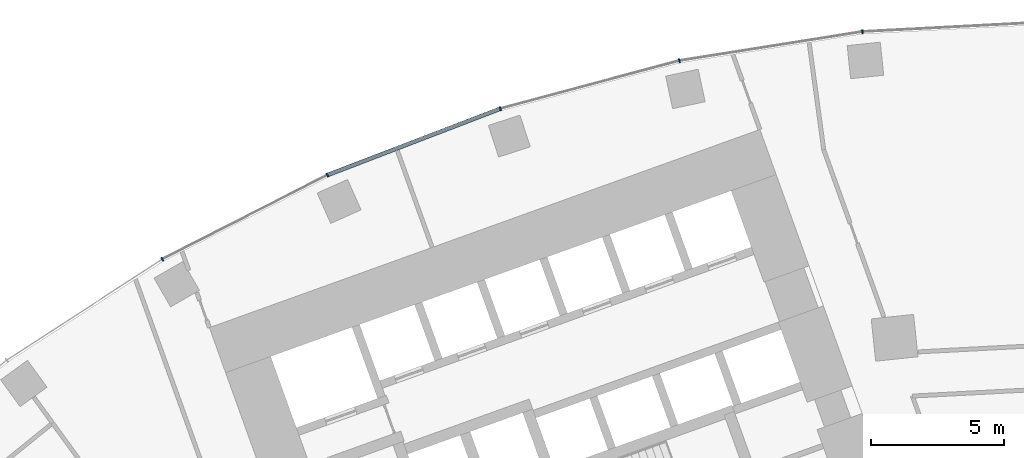
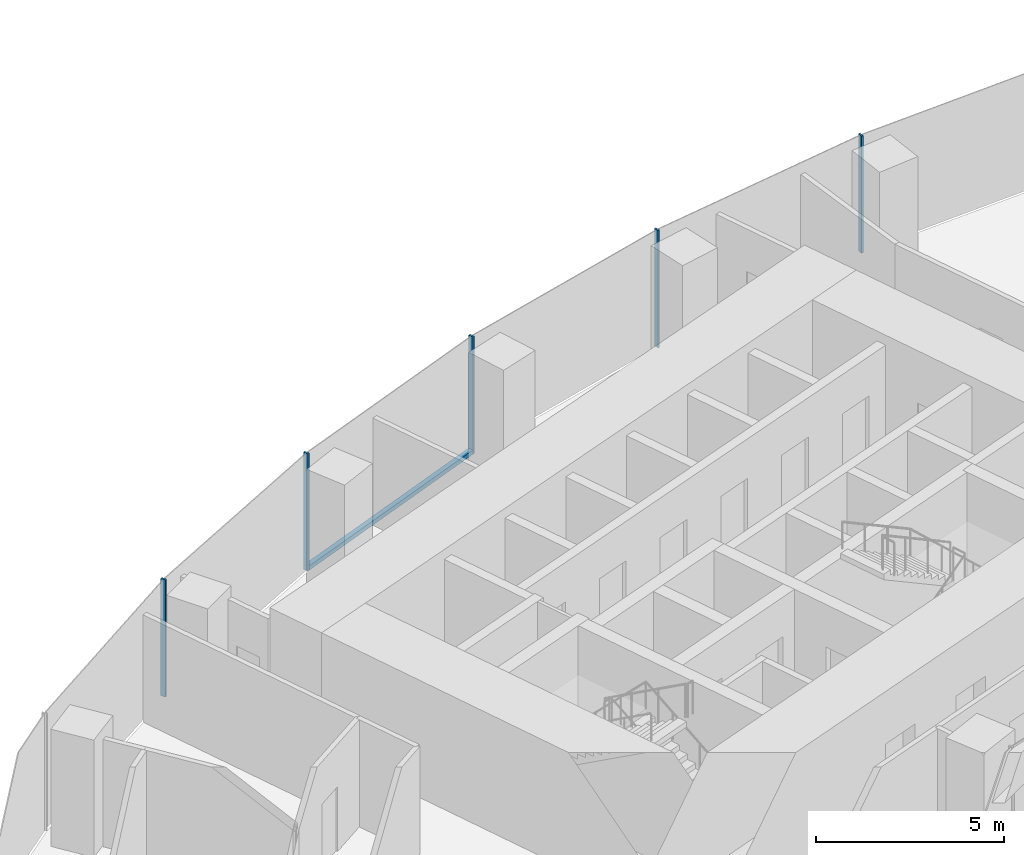
# One storey, part 6 of 21: 6 members, 1 element without a shape of its own.
"""IFC4 building model written with IfcOpenShell, lengths in metres."""

from ifc_helpers import new_model, si_unit, direction, frame, origin, origin_2d, place, context, subcontext, project, spatial, rectangle, extrude, material, layer, layer_set, material_profile, profile_set, type_object, element, aggregate, save


model = new_model("IFC4")

# Units and contexts
model_context = context("Model", 3, precision=1e-05, world=origin(), true_north=direction((0.0, 1.0)))
body_context = subcontext(model_context, "Body", "Model", "MODEL_VIEW")
ifc_project = project(units=[si_unit("LENGTHUNIT", "METRE"), si_unit("AREAUNIT", "SQUARE_METRE"), si_unit("VOLUMEUNIT", "CUBIC_METRE"), si_unit("PLANEANGLEUNIT", "RADIAN"), si_unit("MASSUNIT", "GRAM", prefix="KILO")], contexts=[model_context])

# Site, building, storey
site_placement = place(None, origin())
site = spatial("IfcSite", under=ifc_project, at=site_placement, CompositionType="ELEMENT")
building_placement = place(site_placement, origin())
building = spatial("IfcBuilding", under=site, at=building_placement, Name="Stone Belt Terrace Tower", CompositionType="ELEMENT")
storey_placement = place(building_placement, frame((0.0, 0.0, 45.199951171875)))
storey = spatial("IfcBuildingStorey", under=building, at=storey_placement, Name="L10", CompositionType="ELEMENT", Elevation=45.199951171875)

# Curtain wall, members
ifc_material = material(Name="Aluminium 6063-T6 anodised frame", Category="aluminium")
ifc_layer = layer(ifc_material, 0.14990234375)
ifc_layer_set = layer_set([ifc_layer], Name="CW-A unitised convex-face curtain wall")
curtain_wall_type = type_object("IfcCurtainWallType", Name="CW-A unitised convex-face curtain wall", PredefinedType="NOTDEFINED", material=ifc_layer_set)
curtain_wall_placement = place(storey_placement, origin())
curtain_wall = element("IfcCurtainWall", 1, at=curtain_wall_placement, inside=storey, type_object=curtain_wall_type, Name="CW-A convex face L10", PredefinedType="NOTDEFINED")
ifc_material_profile_1 = material_profile(ifc_material, rectangle(XDim=0.14990234375, YDim=0.06005859375, at=origin_2d()), Name="Aluminium 6063-T6 60x150")
ifc_profile_set_1 = profile_set([ifc_material_profile_1], Name="Aluminium 6063-T6 anodised frame")
member_type_1 = type_object("IfcMemberType", Name="CW-A mullion 60 x 150", PredefinedType="MULLION", material=ifc_profile_set_1)
member_1_placement = place(storey_placement, frame((-6.958984375, 66.21044921875, 0.0), z_axis=(0.0, 0.0, 1.0), x_axis=(0.104528463268, -0.994521895368, 0.0)))
member_1 = element("IfcMember", 2, at=member_1_placement, type_object=member_type_1, Name="CW-A mullion 11", PredefinedType="MULLION", context=body_context, shape_type="SweptSolid", body=[
    extrude(rectangle(XDim=0.14990234375, YDim=0.06005859375, at=origin_2d()), origin(), (0.0, 0.0, 1.0), 3.800048828125),
])
member_2_placement = place(storey_placement, frame((-13.841796875, 65.120361328125, 0.0), z_axis=(0.0, 0.0, 1.0), x_axis=(0.207911690818, -0.978147600734, 0.0)))
member_2 = element("IfcMember", 3, at=member_2_placement, type_object=member_type_1, Name="CW-A mullion 12", PredefinedType="MULLION", context=body_context, shape_type="SweptSolid", body=[
    extrude(rectangle(XDim=0.14990234375, YDim=0.06005859375, at=origin_2d()), origin(), (0.0, 0.0, 1.0), 3.800048828125),
])
member_3_placement = place(storey_placement, frame((-20.57275390625, 63.316650390625, 0.0), z_axis=(0.0, 0.0, 1.0), x_axis=(0.309016994375, -0.951056516295, 0.0)))
member_3 = element("IfcMember", 4, at=member_3_placement, type_object=member_type_1, Name="CW-A mullion 13", PredefinedType="MULLION", context=body_context, shape_type="SweptSolid", body=[
    extrude(rectangle(XDim=0.14990234375, YDim=0.06005859375, at=origin_2d()), origin(), (0.0, 0.0, 1.0), 3.800048828125),
])
member_4_placement = place(storey_placement, frame((-27.07861328125, 60.8193359375, 0.0), z_axis=(0.0, 0.0, 1.0), x_axis=(0.406736643076, -0.913545457643, 0.0)))
member_4 = element("IfcMember", 5, at=member_4_placement, type_object=member_type_1, Name="CW-A mullion 14", PredefinedType="MULLION", context=body_context, shape_type="SweptSolid", body=[
    extrude(rectangle(XDim=0.14990234375, YDim=0.06005859375, at=origin_2d()), origin(), (0.0, 0.0, 1.0), 3.800048828125),
])
member_5_placement = place(storey_placement, frame((-33.28759765625, 57.65576171875, 0.0), z_axis=(0.0, 0.0, 1.0), x_axis=(0.5, -0.866025403784, 0.0)))
member_5 = element("IfcMember", 6, at=member_5_placement, type_object=member_type_1, Name="CW-A mullion 15", PredefinedType="MULLION", context=body_context, shape_type="SweptSolid", body=[
    extrude(rectangle(XDim=0.14990234375, YDim=0.06005859375, at=origin_2d()), origin(), (0.0, 0.0, 1.0), 3.800048828125),
])
ifc_material_profile_2 = material_profile(ifc_material, rectangle(XDim=0.14990234375, YDim=0.139892578125, at=origin_2d()), Name="Aluminium 6063-T6 150x140")
ifc_profile_set_2 = profile_set([ifc_material_profile_2], Name="Aluminium 6063-T6 anodised frame")
member_type_2 = type_object("IfcMemberType", Name="CW-A transom 140 x 150", PredefinedType="USERDEFINED", material=ifc_profile_set_2)
member_6_placement = place(storey_placement, frame((-20.6044921875, 63.304443359375, 0.070068359375), z_axis=(-0.933585210269, -0.358355487146, 0.0), x_axis=(0.358355487146, -0.933585210269, 0.0)))
member_6 = element("IfcMember", 7, at=member_6_placement, type_object=member_type_2, Name="CW-A transom 13.1", ObjectType="TRANSOM", PredefinedType="USERDEFINED", context=body_context, shape_type="SweptSolid", body=[
    extrude(rectangle(XDim=0.14990234375, YDim=0.139892578125, at=origin_2d()), origin(), (0.0, 0.0, 1.0), 6.900634765625),
])
aggregate(curtain_wall, [member_1, member_2, member_3, member_4, member_5, member_6])

save(model, "model.ifc")
